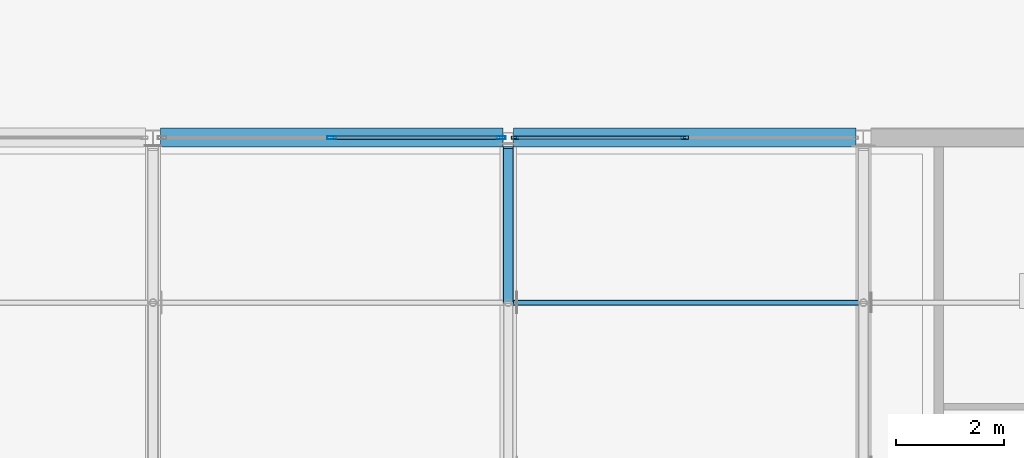
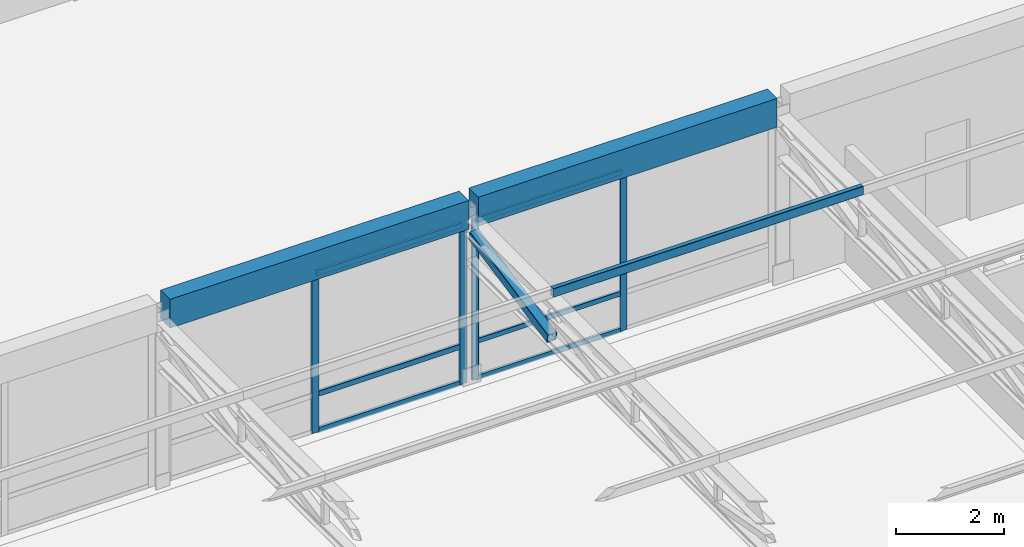
# One storey, part 27 of 92: 12 members, 2 beams, 2 elements without a shape of their own.
"""IFC4 building model written with IfcOpenShell, lengths in metres."""

from ifc_helpers import new_model, si_unit, direction, frame, origin, origin_2d, place, context, subcontext, project, spatial, rectangle, hollow_rectangle, extrude, material, material_profile, profile_set, type_object, element, aggregate, save


model = new_model("IFC4")

# Units and contexts
model_context = context("Model", 3, precision=1e-05, world=origin(), true_north=direction((0.0, 1.0)))
body_context = subcontext(model_context, "Body", "Model", "MODEL_VIEW")
ifc_project = project(units=[si_unit("LENGTHUNIT", "METRE"), si_unit("AREAUNIT", "SQUARE_METRE"), si_unit("VOLUMEUNIT", "CUBIC_METRE"), si_unit("PLANEANGLEUNIT", "RADIAN"), si_unit("MASSUNIT", "GRAM", prefix="KILO")], contexts=[model_context])

# Site, building, storey
site_placement = place(None, origin())
site = spatial("IfcSite", under=ifc_project, at=site_placement, CompositionType="ELEMENT")
building_placement = place(site_placement, origin())
building = spatial("IfcBuilding", under=site, at=building_placement, Name="Kernevlak Ridge Housing Community", CompositionType="ELEMENT")
storey_placement = place(building_placement, frame((0.0, 0.0, 4.199951171875)))
storey = spatial("IfcBuildingStorey", under=building, at=storey_placement, Name="L01", CompositionType="ELEMENT", Elevation=4.199951171875)

# Beams
ifc_material_1 = material(Name="Concrete C35/45", Category="concrete")
ifc_material_profile_1 = material_profile(ifc_material_1, rectangle(XDim=0.35009765625, YDim=0.64990234375, at=origin_2d()), Name="RC 350x650")
ifc_profile_set_1 = profile_set([ifc_material_profile_1], Name="Concrete C35/45")
beam_type = type_object("IfcBeamType", Name="B-02", PredefinedType="BEAM", material=ifc_profile_set_1)
for number, where, z_axis, x_axis, name in (
    (1, (77.5400390625, 68.199951171875, 3.875), (1.0, 0.0, 0.0), (0.0, 1.0, 0.0), "Beam B-02 L01 2415"),
    (2, (84.10009765625, 68.199951171875, 3.875), (1.0, 0.0, 0.0), (0.0, 1.0, 0.0), "Beam B-02 L01 2416"),
):
    element("IfcBeam", number, at=place(storey_placement, frame(where, z_axis=z_axis, x_axis=x_axis)), inside=storey, type_object=beam_type, Name=name, PredefinedType="BEAM", context=body_context, shape_type="SweptSolid", body=[
        extrude(rectangle(XDim=0.35009765625, YDim=0.64990234375, at=origin_2d()), origin(), (0.0, 0.0, 1.0), 6.35986328125),
    ])

# Member
ifc_material_2 = material(Name="Steel S355", Category="steel")
ifc_material_profile_2 = material_profile(ifc_material_2, hollow_rectangle(XDim=0.199951171875, YDim=0.199951171875, WallThickness=0.010009765625, InnerFilletRadius=0.010009765625, OuterFilletRadius=0.014892578125, at=origin_2d()), Name="SHS 200x200x10")
ifc_profile_set_2 = profile_set([ifc_material_profile_2], Name="Steel S355")
member_type_1 = type_object("IfcMemberType", Name="BR-01", PredefinedType="BRACE", material=ifc_profile_set_2)
member_1_placement = place(storey_placement, frame((84.0, 65.13330078125, 2.83544921875), z_axis=(0.0, 0.98075256967, 0.195254697987), x_axis=(-1.0, 0.0, 0.0)))
element("IfcMember", 3, at=member_1_placement, inside=storey, type_object=member_type_1, Name="Community Hall roof truss 4 web diagonal 6", PredefinedType="BRACE", context=body_context, shape_type="SweptSolid", body=[
    extrude(hollow_rectangle(XDim=0.199951171875, YDim=0.199951171875, WallThickness=0.010009765625, InnerFilletRadius=0.010009765625, OuterFilletRadius=0.014892578125, at=origin_2d()), origin(), (0.0, 0.0, 1.0), 2.943359375),
])

# Curtain wall, members
ifc_material_3 = material(Name="Aluminium EN AW-6060 anodised and laminated glass", Category="aluminium")
curtain_wall_type_1 = type_object("IfcCurtainWallType", Name="CW-13", PredefinedType="NOTDEFINED", material=ifc_material_3)
curtain_wall_1_placement = place(storey_placement, origin())
curtain_wall_1 = element("IfcCurtainWall", 4, at=curtain_wall_1_placement, inside=storey, type_object=curtain_wall_type_1, Name="Curtain wall CW-13 CW-L01-180", PredefinedType="NOTDEFINED")
ifc_material_4 = material(Name="Aluminium EN AW-6060 anodised", Category="aluminium")
ifc_material_profile_3 = material_profile(ifc_material_4, hollow_rectangle(XDim=0.054931640625, YDim=0.139892578125, WallThickness=0.00390625, InnerFilletRadius=0.001953125, OuterFilletRadius=0.00390625, at=origin_2d()), Name="ALU 55x140x4")
ifc_profile_set_3 = profile_set([ifc_material_profile_3], Name="Aluminium EN AW-6060 anodised")
member_type_2 = type_object("IfcMemberType", Name="MU-01", PredefinedType="MULLION", material=ifc_profile_set_3)
member_2_placement = place(storey_placement, frame((84.12744140625, 68.199951171875, 0.0), z_axis=(0.0, 0.0, 1.0), x_axis=(0.0, 1.0, 0.0)))
member_2 = element("IfcMember", 5, at=member_2_placement, type_object=member_type_2, Name="CW-13 mullion 1", PredefinedType="MULLION", context=body_context, shape_type="SweptSolid", body=[
    extrude(hollow_rectangle(XDim=0.054931640625, YDim=0.139892578125, WallThickness=0.00390625, InnerFilletRadius=0.001953125, OuterFilletRadius=0.00390625, at=origin_2d()), origin(), (0.0, 0.0, 1.0), 3.60009765625),
])
member_3_placement = place(storey_placement, frame((87.280029296875, 68.199951171875, 0.0), z_axis=(0.0, 0.0, 1.0), x_axis=(0.0, 1.0, 0.0)))
member_3 = element("IfcMember", 6, at=member_3_placement, type_object=member_type_2, Name="CW-13 mullion 2", PredefinedType="MULLION", context=body_context, shape_type="SweptSolid", body=[
    extrude(hollow_rectangle(XDim=0.054931640625, YDim=0.139892578125, WallThickness=0.00390625, InnerFilletRadius=0.001953125, OuterFilletRadius=0.00390625, at=origin_2d()), origin(), (0.0, 0.0, 1.0), 3.60009765625),
])

curtain_wall_type_2 = type_object("IfcCurtainWallType", Name="CW-12", PredefinedType="NOTDEFINED", material=ifc_material_3)
curtain_wall_2_placement = place(storey_placement, origin())
curtain_wall_2 = element("IfcCurtainWall", 7, at=curtain_wall_2_placement, inside=storey, type_object=curtain_wall_type_2, Name="Curtain wall CW-12 CW-L01-178", PredefinedType="NOTDEFINED")
ifc_material_profile_4 = material_profile(ifc_material_4, hollow_rectangle(XDim=0.06005859375, YDim=0.159912109375, WallThickness=0.00390625, InnerFilletRadius=0.001953125, OuterFilletRadius=0.00390625, at=origin_2d()), Name="ALU 60x160x4")
ifc_profile_set_4 = profile_set([ifc_material_profile_4], Name="Aluminium EN AW-6060 anodised")
member_type_3 = type_object("IfcMemberType", Name="MU-02", PredefinedType="MULLION", material=ifc_profile_set_4)
member_4_placement = place(storey_placement, frame((80.719970703125, 68.199951171875, 0.0), z_axis=(0.0, 0.0, 1.0), x_axis=(0.0, 1.0, 0.0)))
member_4 = element("IfcMember", 8, at=member_4_placement, type_object=member_type_3, Name="CW-12 mullion 2", PredefinedType="MULLION", context=body_context, shape_type="SweptSolid", body=[
    extrude(hollow_rectangle(XDim=0.06005859375, YDim=0.159912109375, WallThickness=0.00390625, InnerFilletRadius=0.001953125, OuterFilletRadius=0.00390625, at=origin_2d()), origin(), (0.0, 0.0, 1.0), 3.60009765625),
])
member_5_placement = place(storey_placement, frame((83.8701171875, 68.199951171875, 0.0), z_axis=(0.0, 0.0, 1.0), x_axis=(0.0, 1.0, 0.0)))
member_5 = element("IfcMember", 9, at=member_5_placement, type_object=member_type_3, Name="CW-12 mullion 3", PredefinedType="MULLION", context=body_context, shape_type="SweptSolid", body=[
    extrude(hollow_rectangle(XDim=0.06005859375, YDim=0.159912109375, WallThickness=0.00390625, InnerFilletRadius=0.001953125, OuterFilletRadius=0.00390625, at=origin_2d()), origin(), (0.0, 0.0, 1.0), 3.60009765625),
])

# Member
ifc_material_profile_5 = material_profile(ifc_material_2, hollow_rectangle(XDim=0.10009765625, YDim=0.199951171875, WallThickness=0.008056640625, InnerFilletRadius=0.008056640625, OuterFilletRadius=0.011962890625, at=origin_2d()), Name="RHS 200x100x8")
ifc_profile_set_5 = profile_set([ifc_material_profile_5], Name="Steel S355")
member_type_4 = type_object("IfcMemberType", Name="PU-05", PredefinedType="PURLIN", material=ifc_profile_set_5)
member_6_placement = place(storey_placement, frame((84.0, 65.13330078125, 3.860107421875), z_axis=(1.0, 0.0, 0.0), x_axis=(0.0, 1.0, 0.0)))
element("IfcMember", 10, at=member_6_placement, inside=storey, type_object=member_type_4, Name="Community Hall steel roof purlin 4.6", PredefinedType="PURLIN", context=body_context, shape_type="SweptSolid", body=[
    extrude(hollow_rectangle(XDim=0.10009765625, YDim=0.199951171875, WallThickness=0.008056640625, InnerFilletRadius=0.008056640625, OuterFilletRadius=0.011962890625, at=origin_2d()), origin(), (0.0, 0.0, 1.0), 6.60009765625),
])

ifc_material_profile_6 = material_profile(ifc_material_4, hollow_rectangle(XDim=0.054931640625, YDim=0.110107421875, WallThickness=0.00390625, InnerFilletRadius=0.001953125, OuterFilletRadius=0.00390625, at=origin_2d()), Name="ALU 55x110x4")
ifc_profile_set_6 = profile_set([ifc_material_profile_6], Name="Aluminium EN AW-6060 anodised")
member_type_5 = type_object("IfcMemberType", Name="TM-01", PredefinedType="USERDEFINED", material=ifc_profile_set_6)
member_7_placement = place(storey_placement, frame((84.155029296875, 68.199951171875, 0.027587890625), z_axis=(1.0, 0.0, 0.0), x_axis=(0.0, 1.0, 0.0)))
member_7 = element("IfcMember", 11, at=member_7_placement, type_object=member_type_5, Name="CW-13 transom 1.1", ObjectType="TRANSOM", PredefinedType="USERDEFINED", context=body_context, shape_type="SweptSolid", body=[
    extrude(hollow_rectangle(XDim=0.054931640625, YDim=0.110107421875, WallThickness=0.00390625, InnerFilletRadius=0.001953125, OuterFilletRadius=0.00390625, at=origin_2d()), origin(), (0.0, 0.0, 1.0), 3.097412109375),
])

member_8_placement = place(storey_placement, frame((84.155029296875, 68.199951171875, 0.85009765625), z_axis=(1.0, 0.0, 0.0), x_axis=(0.0, 1.0, 0.0)))
member_8 = element("IfcMember", 12, at=member_8_placement, type_object=member_type_5, Name="CW-13 transom 1.2", ObjectType="TRANSOM", PredefinedType="USERDEFINED", context=body_context, shape_type="SweptSolid", body=[
    extrude(hollow_rectangle(XDim=0.054931640625, YDim=0.110107421875, WallThickness=0.00390625, InnerFilletRadius=0.001953125, OuterFilletRadius=0.00390625, at=origin_2d()), origin(), (0.0, 0.0, 1.0), 3.097412109375),
])

member_9_placement = place(storey_placement, frame((84.155029296875, 68.199951171875, 3.572509765625), z_axis=(1.0, 0.0, 0.0), x_axis=(0.0, 1.0, 0.0)))
member_9 = element("IfcMember", 13, at=member_9_placement, type_object=member_type_5, Name="CW-13 transom 1.3", ObjectType="TRANSOM", PredefinedType="USERDEFINED", context=body_context, shape_type="SweptSolid", body=[
    extrude(hollow_rectangle(XDim=0.054931640625, YDim=0.110107421875, WallThickness=0.00390625, InnerFilletRadius=0.001953125, OuterFilletRadius=0.00390625, at=origin_2d()), origin(), (0.0, 0.0, 1.0), 3.097412109375),
])

aggregate(curtain_wall_1, [member_2, member_3, member_7, member_8, member_9])

ifc_material_profile_7 = material_profile(ifc_material_4, hollow_rectangle(XDim=0.06005859375, YDim=0.1201171875, WallThickness=0.00390625, InnerFilletRadius=0.001953125, OuterFilletRadius=0.00390625, at=origin_2d()), Name="ALU 60x120x4")
ifc_profile_set_7 = profile_set([ifc_material_profile_7], Name="Aluminium EN AW-6060 anodised")
member_type_6 = type_object("IfcMemberType", Name="TM-02", PredefinedType="USERDEFINED", material=ifc_profile_set_7)
member_10_placement = place(storey_placement, frame((80.75, 68.199951171875, 0.030029296875), z_axis=(1.0, 0.0, 0.0), x_axis=(0.0, 1.0, 0.0)))
member_10 = element("IfcMember", 14, at=member_10_placement, type_object=member_type_6, Name="CW-12 transom 2.1", ObjectType="TRANSOM", PredefinedType="USERDEFINED", context=body_context, shape_type="SweptSolid", body=[
    extrude(hollow_rectangle(XDim=0.06005859375, YDim=0.1201171875, WallThickness=0.00390625, InnerFilletRadius=0.001953125, OuterFilletRadius=0.00390625, at=origin_2d()), origin(), (0.0, 0.0, 1.0), 3.090087890625),
])

member_11_placement = place(storey_placement, frame((80.75, 68.199951171875, 0.85009765625), z_axis=(1.0, 0.0, 0.0), x_axis=(0.0, 1.0, 0.0)))
member_11 = element("IfcMember", 15, at=member_11_placement, type_object=member_type_6, Name="CW-12 transom 2.2", ObjectType="TRANSOM", PredefinedType="USERDEFINED", context=body_context, shape_type="SweptSolid", body=[
    extrude(hollow_rectangle(XDim=0.06005859375, YDim=0.1201171875, WallThickness=0.00390625, InnerFilletRadius=0.001953125, OuterFilletRadius=0.00390625, at=origin_2d()), origin(), (0.0, 0.0, 1.0), 3.090087890625),
])

member_12_placement = place(storey_placement, frame((80.75, 68.199951171875, 3.570068359375), z_axis=(1.0, 0.0, 0.0), x_axis=(0.0, 1.0, 0.0)))
member_12 = element("IfcMember", 16, at=member_12_placement, type_object=member_type_6, Name="CW-12 transom 2.3", ObjectType="TRANSOM", PredefinedType="USERDEFINED", context=body_context, shape_type="SweptSolid", body=[
    extrude(hollow_rectangle(XDim=0.06005859375, YDim=0.1201171875, WallThickness=0.00390625, InnerFilletRadius=0.001953125, OuterFilletRadius=0.00390625, at=origin_2d()), origin(), (0.0, 0.0, 1.0), 3.090087890625),
])

aggregate(curtain_wall_2, [member_4, member_5, member_10, member_11, member_12])

save(model, "model.ifc")
